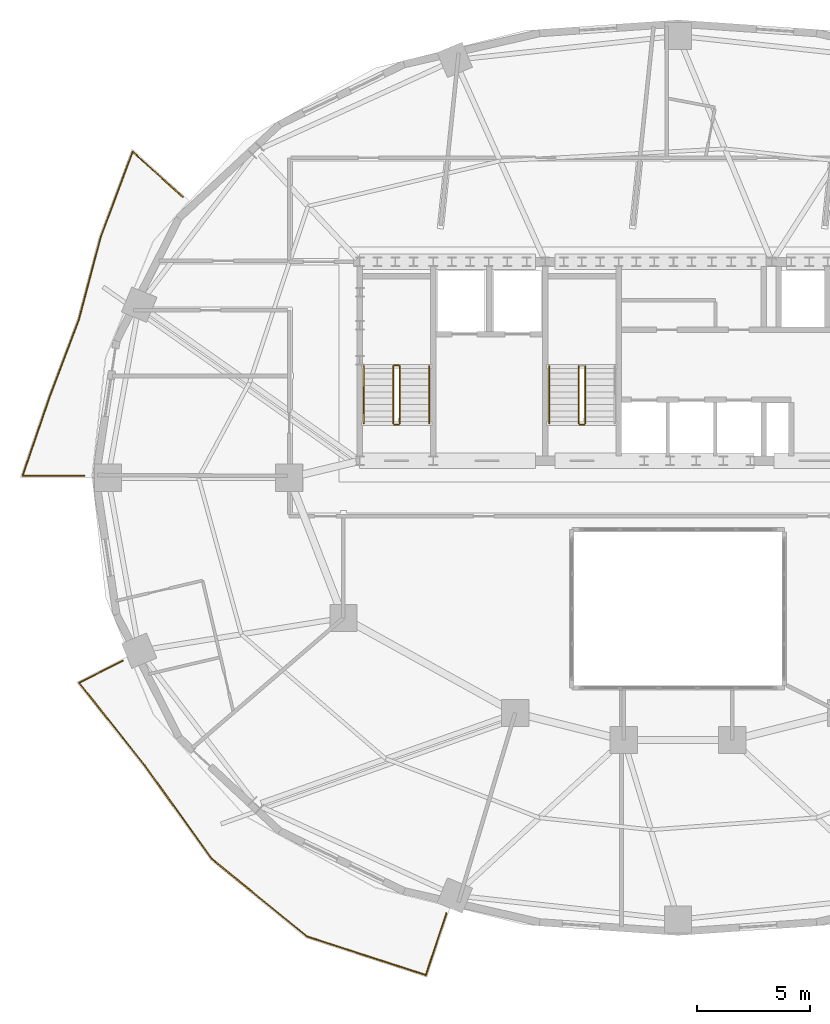
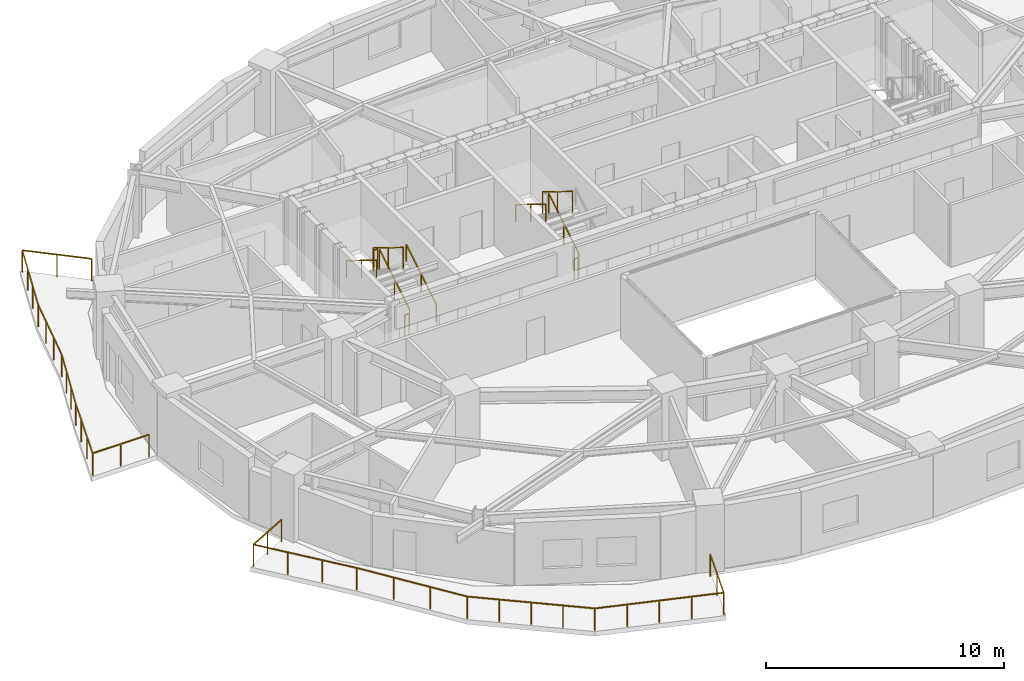
# One storey, part 10 of 13: 12 railings.
"""IFC4 building model written with IfcOpenShell, lengths in metres."""

from ifc_helpers import new_model, si_unit, direction, frame, origin, origin_2d, place, context, subcontext, project, spatial, rectangle, extrude, material, type_object, element, save


model = new_model("IFC4")

# Units and contexts
model_context = context("Model", 3, precision=1e-05, world=origin(), true_north=direction((0.0, 1.0)))
body_context = subcontext(model_context, "Body", "Model", "MODEL_VIEW")
ifc_project = project(units=[si_unit("LENGTHUNIT", "METRE"), si_unit("AREAUNIT", "SQUARE_METRE"), si_unit("VOLUMEUNIT", "CUBIC_METRE"), si_unit("PLANEANGLEUNIT", "RADIAN"), si_unit("MASSUNIT", "GRAM", prefix="KILO")], contexts=[model_context])

# Site, building, storey
site_placement = place(None, origin())
site = spatial("IfcSite", under=ifc_project, at=site_placement, CompositionType="ELEMENT")
building_placement = place(site_placement, origin())
building = spatial("IfcBuilding", under=site, at=building_placement, Name="Haldorwick Loom Tower", CompositionType="ELEMENT")
storey_placement = place(building_placement, frame((0.0, 0.0, 178.60009765625)))
storey = spatial("IfcBuildingStorey", under=building, at=storey_placement, Name="L48", CompositionType="ELEMENT", Elevation=178.60009765625)

# Railings
ifc_material_1 = material(Name="Galvanized Steel CSA G40.21 350W", Category="steel")
railing_type_1 = type_object("IfcRailingType", Name="ARC-RLG-BAL115", PredefinedType="BALUSTRADE", material=ifc_material_1)
railing_1_placement = place(storey_placement, frame((25.756591796875, 6.728515625, 0.0)))
element("IfcRailing", 1, at=railing_1_placement, inside=storey, type_object=railing_type_1, Name="L48 Outdoor Terrace Guardrail SLB-L48-BAL_SW-1", PredefinedType="BALUSTRADE", context=body_context, shape_type="SweptSolid", body=[
    extrude(rectangle(XDim=0.048095703125, YDim=0.048095703125, at=origin_2d()), frame((0.0, 0.0, 1.1259765625), z_axis=(-0.316839129374, -0.948479291338, 0.0), x_axis=(0.948479291338, -0.316839129374, 0.0)), (0.0, 0.0, 1.0), 2.875),
    extrude(rectangle(XDim=0.048095703125, YDim=0.048095703125, at=origin_2d()), frame((-0.910888671875, -2.726806640625, 1.1259765625), z_axis=(-0.951073621426, 0.308964345236, 0.0), x_axis=(-0.308964345236, -0.951073621426, 0.0)), (0.0, 0.0, 1.0), 5.532958984375),
    extrude(rectangle(XDim=0.048095703125, YDim=0.048095703125, at=origin_2d()), frame((-6.173095703125, -1.017333984375, 1.1259765625), z_axis=(-0.774794820107, 0.632212770145, 0.0), x_axis=(-0.632212770145, -0.774794820107, 0.0)), (0.0, 0.0, 1.0), 5.424560546875),
    extrude(rectangle(XDim=0.048095703125, YDim=0.048095703125, at=origin_2d()), frame((-10.3759765625, 2.412109375, 1.1259765625), z_axis=(-0.583373132525, 0.812204277413, 0.0), x_axis=(-0.812204277413, -0.583373132525, 0.0)), (0.0, 0.0, 1.0), 5.090087890625),
    extrude(rectangle(XDim=0.048095703125, YDim=0.048095703125, at=origin_2d()), frame((-13.345458984375, 6.54638671875, 1.1259765625), z_axis=(-0.60971076085, 0.792623989105, 0.0), x_axis=(-0.792623989105, -0.60971076085, 0.0)), (0.0, 0.0, 1.0), 0.00390625),
    extrude(rectangle(XDim=0.048095703125, YDim=0.048095703125, at=origin_2d()), frame((-13.347900390625, 6.549560546875, 1.1259765625), z_axis=(-0.621986182745, 0.783028216908, 0.0), x_axis=(-0.783028216908, -0.621986182745, 0.0)), (0.0, 0.0, 1.0), 4.65576171875),
    extrude(rectangle(XDim=0.048095703125, YDim=0.048095703125, at=origin_2d()), frame((-16.24365234375, 10.195068359375, 1.1259765625), z_axis=(0.890002219109, 0.45595619305, 0.0), x_axis=(-0.45595619305, 0.890002219109, 0.0)), (0.0, 0.0, 1.0), 2.1728515625),
    extrude(rectangle(XDim=0.0419921875, YDim=0.0419921875, at=origin_2d()), origin(), (0.0, 0.0, 1.0), 1.101806640625),
    extrude(rectangle(XDim=0.0419921875, YDim=0.0419921875, at=origin_2d()), frame((-0.45556640625, -1.36328125, 0.0)), (0.0, 0.0, 1.0), 1.101806640625),
    extrude(rectangle(XDim=0.0419921875, YDim=0.0419921875, at=origin_2d()), frame((-0.910888671875, -2.726806640625, 0.0)), (0.0, 0.0, 1.0), 1.101806640625),
    extrude(rectangle(XDim=0.0419921875, YDim=0.0419921875, at=origin_2d()), frame((-2.2265625, -2.29931640625, 0.0)), (0.0, 0.0, 1.0), 1.101806640625),
    extrude(rectangle(XDim=0.0419921875, YDim=0.0419921875, at=origin_2d()), frame((-3.5419921875, -1.8720703125, 0.0)), (0.0, 0.0, 1.0), 1.101806640625),
    extrude(rectangle(XDim=0.0419921875, YDim=0.0419921875, at=origin_2d()), frame((-4.857421875, -1.44482421875, 0.0)), (0.0, 0.0, 1.0), 1.101806640625),
    extrude(rectangle(XDim=0.0419921875, YDim=0.0419921875, at=origin_2d()), frame((-6.173095703125, -1.017333984375, 0.0)), (0.0, 0.0, 1.0), 1.101806640625),
    extrude(rectangle(XDim=0.0419921875, YDim=0.0419921875, at=origin_2d()), frame((-7.223876953125, -0.159912109375, 0.0)), (0.0, 0.0, 1.0), 1.101806640625),
    extrude(rectangle(XDim=0.0419921875, YDim=0.0419921875, at=origin_2d()), frame((-8.2744140625, 0.697265625, 0.0)), (0.0, 0.0, 1.0), 1.101806640625),
    extrude(rectangle(XDim=0.0419921875, YDim=0.0419921875, at=origin_2d()), frame((-9.3251953125, 1.5546875, 0.0)), (0.0, 0.0, 1.0), 1.101806640625),
    extrude(rectangle(XDim=0.0419921875, YDim=0.0419921875, at=origin_2d()), frame((-10.3759765625, 2.412109375, 0.0)), (0.0, 0.0, 1.0), 1.101806640625),
    extrude(rectangle(XDim=0.0419921875, YDim=0.0419921875, at=origin_2d()), frame((-11.36572265625, 3.790283203125, 0.0)), (0.0, 0.0, 1.0), 1.101806640625),
    extrude(rectangle(XDim=0.0419921875, YDim=0.0419921875, at=origin_2d()), frame((-12.355712890625, 5.168212890625, 0.0)), (0.0, 0.0, 1.0), 1.101806640625),
    extrude(rectangle(XDim=0.0419921875, YDim=0.0419921875, at=origin_2d()), frame((-13.345458984375, 6.54638671875, 0.0)), (0.0, 0.0, 1.0), 1.101806640625),
    extrude(rectangle(XDim=0.0419921875, YDim=0.0419921875, at=origin_2d()), frame((-14.313232421875, 7.7646484375, 0.0)), (0.0, 0.0, 1.0), 1.101806640625),
    extrude(rectangle(XDim=0.0419921875, YDim=0.0419921875, at=origin_2d()), frame((-15.2783203125, 8.97998046875, 0.0)), (0.0, 0.0, 1.0), 1.101806640625),
    extrude(rectangle(XDim=0.0419921875, YDim=0.0419921875, at=origin_2d()), frame((-16.24365234375, 10.195068359375, 0.0)), (0.0, 0.0, 1.0), 1.101806640625),
    extrude(rectangle(XDim=0.0419921875, YDim=0.0419921875, at=origin_2d()), frame((-15.27685546875, 10.6904296875, 0.0)), (0.0, 0.0, 1.0), 1.101806640625),
    extrude(rectangle(XDim=0.0419921875, YDim=0.0419921875, at=origin_2d()), frame((-14.309814453125, 11.185791015625, 0.0)), (0.0, 0.0, 1.0), 1.101806640625),
])
railing_2_placement = place(storey_placement, frame((9.73974609375, 26.080078125, 0.0)))
element("IfcRailing", 2, at=railing_2_placement, inside=storey, type_object=railing_type_1, Name="L48 Outdoor Terrace Guardrail SLB-L48-BAL_WNW-1", PredefinedType="BALUSTRADE", context=body_context, shape_type="SweptSolid", body=[
    extrude(rectangle(XDim=0.048095703125, YDim=0.048095703125, at=origin_2d()), frame((0.0, 0.0, 1.1259765625), z_axis=(-1.0, 0.0, 0.0), x_axis=(0.0, -1.0, 0.0)), (0.0, 0.0, 1.0), 2.733154296875),
    extrude(rectangle(XDim=0.048095703125, YDim=0.048095703125, at=origin_2d()), frame((-2.733154296875, 0.0, 1.1259765625), z_axis=(0.324877543995, 0.945756089807, 0.0), x_axis=(-0.945756089807, 0.324877543995, 0.0)), (0.0, 0.0, 1.0), 3.711669921875),
    extrude(rectangle(XDim=0.048095703125, YDim=0.048095703125, at=origin_2d()), frame((-1.52734375, 3.51025390625, 1.1259765625), z_axis=(0.354053402924, 0.935225207037, 0.0), x_axis=(-0.935225207037, 0.354053402924, 0.0)), (0.0, 0.0, 1.0), 3.614013671875),
    extrude(rectangle(XDim=0.048095703125, YDim=0.048095703125, at=origin_2d()), frame((-0.247802734375, 6.89013671875, 1.1259765625), z_axis=(0.307002779923, 0.951708617761, 0.0), x_axis=(-0.951708617761, 0.307002779923, 0.0)), (0.0, 0.0, 1.0), 0.008056640625),
    extrude(rectangle(XDim=0.048095703125, YDim=0.048095703125, at=origin_2d()), frame((-0.245361328125, 6.897705078125, 1.1259765625), z_axis=(0.255651532223, 0.966768997265, 0.0), x_axis=(-0.966768997265, 0.255651532223, 0.0)), (0.0, 0.0, 1.0), 3.786376953125),
    extrude(rectangle(XDim=0.048095703125, YDim=0.048095703125, at=origin_2d()), frame((0.72265625, 10.558349609375, 1.1259765625), z_axis=(0.350917888404, 0.93640623428, 0.0), x_axis=(-0.93640623428, 0.350917888404, 0.0)), (0.0, 0.0, 1.0), 4.03515625),
    extrude(rectangle(XDim=0.048095703125, YDim=0.048095703125, at=origin_2d()), frame((2.138671875, 14.3369140625, 1.1259765625), z_axis=(0.741694932885, -0.670737375232, 0.0), x_axis=(0.670737375232, 0.741694932885, 0.0)), (0.0, 0.0, 1.0), 2.9794921875),
    extrude(rectangle(XDim=0.0419921875, YDim=0.0419921875, at=origin_2d()), origin(), (0.0, 0.0, 1.0), 1.101806640625),
    extrude(rectangle(XDim=0.0419921875, YDim=0.0419921875, at=origin_2d()), frame((-1.36669921875, 0.0, 0.0)), (0.0, 0.0, 1.0), 1.101806640625),
    extrude(rectangle(XDim=0.0419921875, YDim=0.0419921875, at=origin_2d()), frame((-2.733154296875, 0.0, 0.0)), (0.0, 0.0, 1.0), 1.101806640625),
    extrude(rectangle(XDim=0.0419921875, YDim=0.0419921875, at=origin_2d()), frame((-2.331298828125, 1.170166015625, 0.0)), (0.0, 0.0, 1.0), 1.101806640625),
    extrude(rectangle(XDim=0.0419921875, YDim=0.0419921875, at=origin_2d()), frame((-1.92919921875, 2.340087890625, 0.0)), (0.0, 0.0, 1.0), 1.101806640625),
    extrude(rectangle(XDim=0.0419921875, YDim=0.0419921875, at=origin_2d()), frame((-1.52734375, 3.51025390625, 0.0)), (0.0, 0.0, 1.0), 1.101806640625),
    extrude(rectangle(XDim=0.0419921875, YDim=0.0419921875, at=origin_2d()), frame((-1.100830078125, 4.636962890625, 0.0)), (0.0, 0.0, 1.0), 1.101806640625),
    extrude(rectangle(XDim=0.0419921875, YDim=0.0419921875, at=origin_2d()), frame((-0.67431640625, 5.763427734375, 0.0)), (0.0, 0.0, 1.0), 1.101806640625),
    extrude(rectangle(XDim=0.0419921875, YDim=0.0419921875, at=origin_2d()), frame((-0.247802734375, 6.89013671875, 0.0)), (0.0, 0.0, 1.0), 1.101806640625),
    extrude(rectangle(XDim=0.0419921875, YDim=0.0419921875, at=origin_2d()), frame((0.077392578125, 8.117919921875, 0.0)), (0.0, 0.0, 1.0), 1.101806640625),
    extrude(rectangle(XDim=0.0419921875, YDim=0.0419921875, at=origin_2d()), frame((0.39990234375, 9.338134765625, 0.0)), (0.0, 0.0, 1.0), 1.101806640625),
    extrude(rectangle(XDim=0.0419921875, YDim=0.0419921875, at=origin_2d()), frame((0.72265625, 10.558349609375, 0.0)), (0.0, 0.0, 1.0), 1.101806640625),
    extrude(rectangle(XDim=0.0419921875, YDim=0.0419921875, at=origin_2d()), frame((1.194580078125, 11.81787109375, 0.0)), (0.0, 0.0, 1.0), 1.101806640625),
    extrude(rectangle(XDim=0.0419921875, YDim=0.0419921875, at=origin_2d()), frame((1.666748046875, 13.077392578125, 0.0)), (0.0, 0.0, 1.0), 1.101806640625),
    extrude(rectangle(XDim=0.0419921875, YDim=0.0419921875, at=origin_2d()), frame((2.138671875, 14.3369140625, 0.0)), (0.0, 0.0, 1.0), 1.101806640625),
    extrude(rectangle(XDim=0.0419921875, YDim=0.0419921875, at=origin_2d()), frame((3.24365234375, 13.337646484375, 0.0)), (0.0, 0.0, 1.0), 1.101806640625),
    extrude(rectangle(XDim=0.0419921875, YDim=0.0419921875, at=origin_2d()), frame((4.3486328125, 12.33837890625, 0.0)), (0.0, 0.0, 1.0), 1.101806640625),
])
ifc_material_2 = material(Name="Steel CSA G40.21 350W", Category="steel")
railing_type_2 = type_object("IfcRailingType", Name="ARC-RLG-GUARD112", PredefinedType="GUARDRAIL", material=ifc_material_2)
railing_3_placement = place(storey_placement, frame((23.699951171875, 28.39990234375, 0.17236328125)))
element("IfcRailing", 3, at=railing_3_placement, inside=storey, type_object=railing_type_2, Name="L48 ST-01 stair guard 1", PredefinedType="GUARDRAIL", context=body_context, shape_type="SweptSolid", body=[
    extrude(rectangle(XDim=0.048095703125, YDim=0.048095703125, at=origin_2d()), frame((0.0, 0.0, 1.076171875), z_axis=(0.0, 0.851400495292, 0.524516154772), x_axis=(-1.0, 0.0, 0.0)), (0.0, 0.0, 1.0), 2.9599609375),
    extrude(rectangle(XDim=0.0419921875, YDim=0.0419921875, at=origin_2d()), origin(), (0.0, 0.0, 1.0), 1.052001953125),
    extrude(rectangle(XDim=0.0419921875, YDim=0.0419921875, at=origin_2d()), frame((0.0, 1.260009765625, 0.7763671875)), (0.0, 0.0, 1.0), 1.052001953125),
    extrude(rectangle(XDim=0.0419921875, YDim=0.0419921875, at=origin_2d()), frame((0.0, 2.52001953125, 1.552490234375)), (0.0, 0.0, 1.0), 1.052001953125),
])
railing_4_placement = place(storey_placement, frame((23.64990234375, 30.969970703125, 1.724853515625)))
element("IfcRailing", 4, at=railing_4_placement, inside=storey, type_object=railing_type_2, Name="L48 ST-01 stair guard 2", PredefinedType="GUARDRAIL", context=body_context, shape_type="SweptSolid", body=[
    extrude(rectangle(XDim=0.048095703125, YDim=0.048095703125, at=origin_2d()), frame((0.0, 0.0, 1.076171875), z_axis=(-1.0, 0.0, 0.0), x_axis=(0.0, -1.0, 0.0)), (0.0, 0.0, 1.0), 0.199951171875),
    extrude(rectangle(XDim=0.0419921875, YDim=0.0419921875, at=origin_2d()), origin(), (0.0, 0.0, 1.0), 1.052001953125),
    extrude(rectangle(XDim=0.0419921875, YDim=0.0419921875, at=origin_2d()), frame((-0.199951171875, 0.0, 0.0)), (0.0, 0.0, 1.0), 1.052001953125),
])
railing_5_placement = place(storey_placement, frame((23.39990234375, 30.919921875, 1.8974609375)))
element("IfcRailing", 5, at=railing_5_placement, inside=storey, type_object=railing_type_2, Name="L48 ST-01 stair guard 3", PredefinedType="GUARDRAIL", context=body_context, shape_type="SweptSolid", body=[
    extrude(rectangle(XDim=0.048095703125, YDim=0.048095703125, at=origin_2d()), frame((0.0, 0.0, 1.076171875), z_axis=(0.0, -0.851400495292, 0.524516154772), x_axis=(1.0, 0.0, 0.0)), (0.0, 0.0, 1.0), 2.9599609375),
    extrude(rectangle(XDim=0.0419921875, YDim=0.0419921875, at=origin_2d()), origin(), (0.0, 0.0, 1.0), 1.052001953125),
    extrude(rectangle(XDim=0.0419921875, YDim=0.0419921875, at=origin_2d()), frame((0.0, -1.260009765625, 0.7763671875)), (0.0, 0.0, 1.0), 1.052001953125),
    extrude(rectangle(XDim=0.0419921875, YDim=0.0419921875, at=origin_2d()), frame((0.0, -2.52001953125, 1.552490234375)), (0.0, 0.0, 1.0), 1.052001953125),
])
railing_6_placement = place(storey_placement, frame((23.64990234375, 28.35009765625, 0.0)))
element("IfcRailing", 6, at=railing_6_placement, inside=storey, type_object=railing_type_2, Name="L48 ST-01 stair guard 4", PredefinedType="GUARDRAIL", context=body_context, shape_type="SweptSolid", body=[
    extrude(rectangle(XDim=0.048095703125, YDim=0.048095703125, at=origin_2d()), frame((0.0, 0.0, 1.076171875), z_axis=(-1.0, 0.0, 0.0), x_axis=(0.0, -1.0, 0.0)), (0.0, 0.0, 1.0), 0.199951171875),
    extrude(rectangle(XDim=0.0419921875, YDim=0.0419921875, at=origin_2d()), origin(), (0.0, 0.0, 1.0), 1.052001953125),
    extrude(rectangle(XDim=0.0419921875, YDim=0.0419921875, at=origin_2d()), frame((-0.199951171875, 0.0, 0.0)), (0.0, 0.0, 1.0), 1.052001953125),
])
railing_7_placement = place(storey_placement, frame((31.89990234375, 28.39990234375, 0.17236328125)))
element("IfcRailing", 7, at=railing_7_placement, inside=storey, type_object=railing_type_2, Name="L48 ST-03 stair guard 1", PredefinedType="GUARDRAIL", context=body_context, shape_type="SweptSolid", body=[
    extrude(rectangle(XDim=0.048095703125, YDim=0.048095703125, at=origin_2d()), frame((0.0, 0.0, 1.076171875), z_axis=(0.0, 0.851400495292, 0.524516154772), x_axis=(-1.0, 0.0, 0.0)), (0.0, 0.0, 1.0), 2.9599609375),
    extrude(rectangle(XDim=0.0419921875, YDim=0.0419921875, at=origin_2d()), origin(), (0.0, 0.0, 1.0), 1.052001953125),
    extrude(rectangle(XDim=0.0419921875, YDim=0.0419921875, at=origin_2d()), frame((0.0, 1.260009765625, 0.7763671875)), (0.0, 0.0, 1.0), 1.052001953125),
    extrude(rectangle(XDim=0.0419921875, YDim=0.0419921875, at=origin_2d()), frame((0.0, 2.52001953125, 1.552490234375)), (0.0, 0.0, 1.0), 1.052001953125),
])
railing_8_placement = place(storey_placement, frame((31.60009765625, 30.919921875, 1.8974609375)))
element("IfcRailing", 8, at=railing_8_placement, inside=storey, type_object=railing_type_2, Name="L48 ST-03 stair guard 3", PredefinedType="GUARDRAIL", context=body_context, shape_type="SweptSolid", body=[
    extrude(rectangle(XDim=0.048095703125, YDim=0.048095703125, at=origin_2d()), frame((0.0, 0.0, 1.076171875), z_axis=(0.0, -0.851400495292, 0.524516154772), x_axis=(1.0, 0.0, 0.0)), (0.0, 0.0, 1.0), 2.9599609375),
    extrude(rectangle(XDim=0.0419921875, YDim=0.0419921875, at=origin_2d()), origin(), (0.0, 0.0, 1.0), 1.052001953125),
    extrude(rectangle(XDim=0.0419921875, YDim=0.0419921875, at=origin_2d()), frame((0.0, -1.260009765625, 0.7763671875)), (0.0, 0.0, 1.0), 1.052001953125),
    extrude(rectangle(XDim=0.0419921875, YDim=0.0419921875, at=origin_2d()), frame((0.0, -2.52001953125, 1.552490234375)), (0.0, 0.0, 1.0), 1.052001953125),
])
railing_9_placement = place(storey_placement, frame((31.85009765625, 28.35009765625, 0.0)))
element("IfcRailing", 9, at=railing_9_placement, inside=storey, type_object=railing_type_2, Name="L48 ST-03 stair guard 4", PredefinedType="GUARDRAIL", context=body_context, shape_type="SweptSolid", body=[
    extrude(rectangle(XDim=0.048095703125, YDim=0.048095703125, at=origin_2d()), frame((0.0, 0.0, 1.076171875), z_axis=(-1.0, 0.0, 0.0), x_axis=(0.0, -1.0, 0.0)), (0.0, 0.0, 1.0), 0.2001953125),
    extrude(rectangle(XDim=0.0419921875, YDim=0.0419921875, at=origin_2d()), origin(), (0.0, 0.0, 1.0), 1.052001953125),
    extrude(rectangle(XDim=0.0419921875, YDim=0.0419921875, at=origin_2d()), frame((-0.2001953125, 0.0, 0.0)), (0.0, 0.0, 1.0), 1.052001953125),
])
railing_type_3 = type_object("IfcRailingType", Name="ARC-RLG-HAND092", PredefinedType="HANDRAIL", material=ifc_material_2)
railing_10_placement = place(storey_placement, frame((25.0, 28.39990234375, 0.17236328125)))
element("IfcRailing", 10, at=railing_10_placement, inside=storey, type_object=railing_type_3, Name="L48 ST-01 stair handrail 1", PredefinedType="HANDRAIL", context=body_context, shape_type="SweptSolid", body=[
    extrude(rectangle(XDim=0.048095703125, YDim=0.048095703125, at=origin_2d()), frame((0.0, 0.0, 0.8759765625), z_axis=(0.0, 0.851400495292, 0.524516154772), x_axis=(-1.0, 0.0, 0.0)), (0.0, 0.0, 1.0), 2.9599609375),
    extrude(rectangle(XDim=0.0419921875, YDim=0.0419921875, at=origin_2d()), origin(), (0.0, 0.0, 1.0), 0.851806640625),
    extrude(rectangle(XDim=0.0419921875, YDim=0.0419921875, at=origin_2d()), frame((0.0, 1.260009765625, 0.7763671875)), (0.0, 0.0, 1.0), 0.851806640625),
    extrude(rectangle(XDim=0.0419921875, YDim=0.0419921875, at=origin_2d()), frame((0.0, 2.52001953125, 1.552490234375)), (0.0, 0.0, 1.0), 0.851806640625),
])
for number, where, name in (
    (11, (22.10009765625, 30.919921875, 1.8974609375), "L48 ST-01 stair handrail 2"),
    (12, (30.300048828125, 30.919921875, 1.8974609375), "L48 ST-03 stair handrail 2"),
):
    element("IfcRailing", number, at=place(storey_placement, frame(where)), inside=storey, type_object=railing_type_3, Name=name, PredefinedType="HANDRAIL", context=body_context, shape_type="SweptSolid", body=[
        extrude(rectangle(XDim=0.048095703125, YDim=0.048095703125, at=origin_2d()), frame((0.0, 0.0, 0.8759765625), z_axis=(0.0, -0.851400495292, 0.524516154772), x_axis=(1.0, 0.0, 0.0)), (0.0, 0.0, 1.0), 2.9599609375),
        extrude(rectangle(XDim=0.0419921875, YDim=0.0419921875, at=origin_2d()), origin(), (0.0, 0.0, 1.0), 0.851806640625),
        extrude(rectangle(XDim=0.0419921875, YDim=0.0419921875, at=origin_2d()), frame((0.0, -1.260009765625, 0.7763671875)), (0.0, 0.0, 1.0), 0.851806640625),
        extrude(rectangle(XDim=0.0419921875, YDim=0.0419921875, at=origin_2d()), frame((0.0, -2.52001953125, 1.552490234375)), (0.0, 0.0, 1.0), 0.851806640625),
    ])

save(model, "model.ifc")
